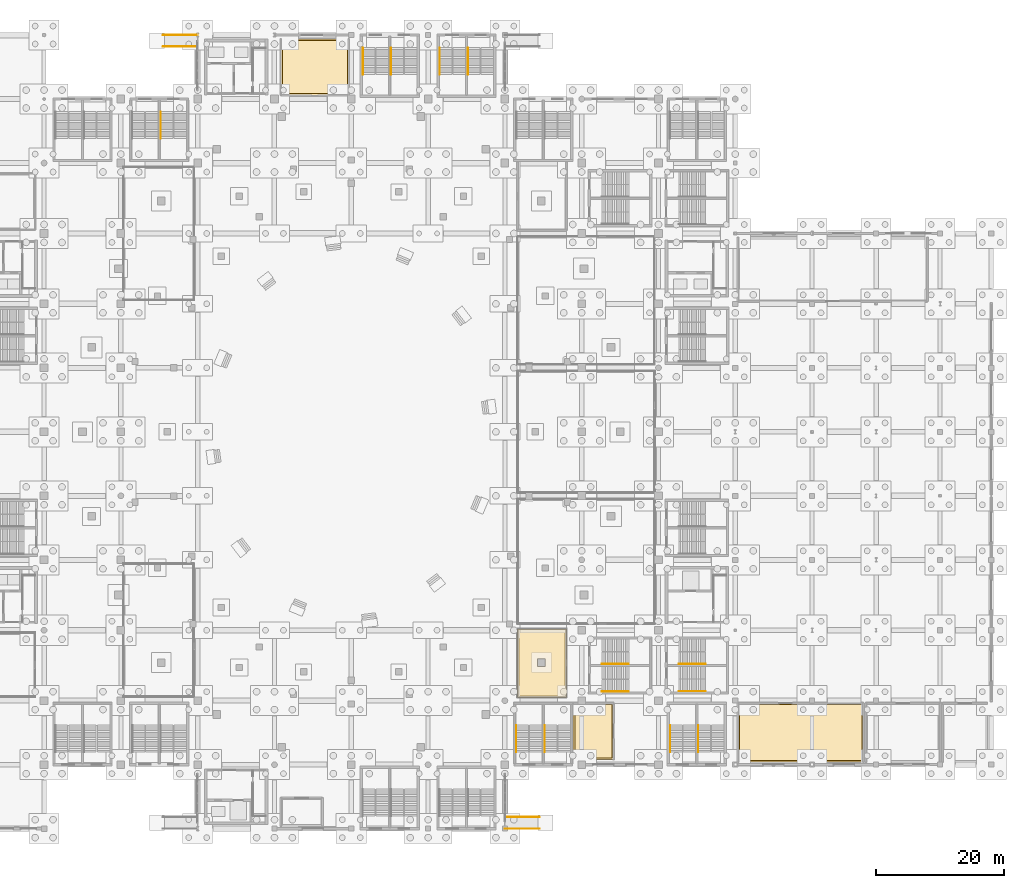
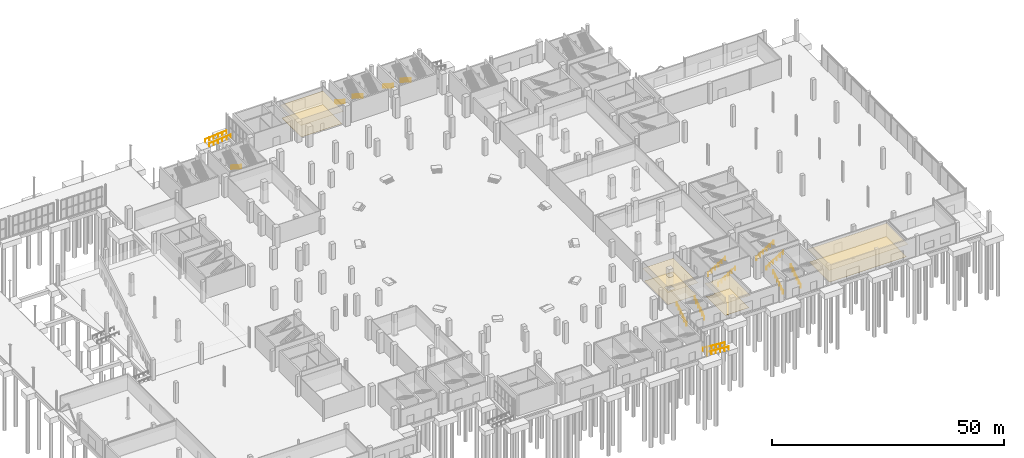
# One storey, part 66 of 70: 17 railings, 8 coverings.
"""IFC4 building model written with IfcOpenShell, lengths in metres."""

from ifc_helpers import new_model, si_unit, direction, frame, origin, origin_2d, place, context, subcontext, project, spatial, polyline, circle, outline, extrude, material, layer, layer_set, type_object, element, save


model = new_model("IFC4")

# Units and contexts
model_context = context("Model", 3, precision=1e-05, world=origin(), true_north=direction((0.0, 1.0)))
body_context = subcontext(model_context, "Body", "Model", "MODEL_VIEW")
ifc_project = project(units=[si_unit("LENGTHUNIT", "METRE"), si_unit("AREAUNIT", "SQUARE_METRE"), si_unit("VOLUMEUNIT", "CUBIC_METRE"), si_unit("PLANEANGLEUNIT", "RADIAN"), si_unit("MASSUNIT", "GRAM", prefix="KILO")], contexts=[model_context])

# Site, building, storey
site_placement = place(None, origin())
site = spatial("IfcSite", under=ifc_project, at=site_placement, CompositionType="ELEMENT")
building_placement = place(site_placement, origin())
building = spatial("IfcBuilding", under=site, at=building_placement, Name="Brinegate Civic Arena", CompositionType="ELEMENT")
storey_placement = place(building_placement, origin())
storey = spatial("IfcBuildingStorey", under=building, at=storey_placement, Name="L00", CompositionType="ELEMENT", Elevation=0.0)

# Coverings
ifc_material_1 = material(Name="Acoustic perforated aluminium ceiling", Category="aluminium")
ifc_layer_1 = layer(ifc_material_1, 0.02490234375, Name="Acoustic perforated aluminium ceiling")
ifc_layer_set_1 = layer_set([ifc_layer_1], Name="Acoustic perforated aluminium ceiling")
covering_type_1 = type_object("IfcCoveringType", Name="CEILING-ACOUSTIC-25", PredefinedType="CEILING", material=ifc_layer_set_1)
covering_1_placement = place(storey_placement, frame((0.0, 0.0, 3.324951171875)))
element("IfcCovering", 1, at=covering_1_placement, inside=storey, type_object=covering_type_1, Name="Acoustic Ceiling L00-004", PredefinedType="CEILING", context=body_context, shape_type="SweptSolid", body=[
    extrude(outline(polyline([(141.60400390625, 31.219970703125), (141.60595703125, 31.218994140625), (141.60791015625, 31.218017578125), (141.60888671875, 31.218017578125), (141.611083984375, 31.217041015625), (141.613037109375, 31.215087890625), (141.614013671875, 31.214111328125), (141.614990234375, 31.212890625), (141.616943359375, 31.2109375), (141.617919921875, 31.208984375), (141.617919921875, 31.2080078125), (141.618896484375, 31.2060546875), (141.6201171875, 31.2041015625), (141.6201171875, 31.201904296875), (141.6201171875, 31.199951171875), (141.6201171875, 20.5), (141.6201171875, 20.498046875), (141.6201171875, 20.49609375), (141.618896484375, 20.493896484375), (141.617919921875, 20.491943359375), (141.617919921875, 20.490966796875), (141.616943359375, 20.489013671875), (141.614990234375, 20.487060546875), (141.614013671875, 20.486083984375), (141.613037109375, 20.485107421875), (141.611083984375, 20.48291015625), (141.60888671875, 20.48193359375), (141.60791015625, 20.48193359375), (141.60595703125, 20.48095703125), (141.60400390625, 20.47998046875), (141.60205078125, 20.47998046875), (141.60009765625, 20.47998046875), (134.0, 20.47998046875), (133.998046875, 20.47998046875), (133.99609375, 20.47998046875), (133.993896484375, 20.48095703125), (133.991943359375, 20.48193359375), (133.990966796875, 20.48193359375), (133.989013671875, 20.48291015625), (133.987060546875, 20.485107421875), (133.986083984375, 20.486083984375), (133.985107421875, 20.487060546875), (133.98291015625, 20.489013671875), (133.98193359375, 20.490966796875), (133.98193359375, 20.491943359375), (133.98095703125, 20.493896484375), (133.97998046875, 20.49609375), (133.97998046875, 20.498046875), (133.97998046875, 20.5), (133.97998046875, 31.199951171875), (133.97998046875, 31.201904296875), (133.97998046875, 31.2041015625), (133.98095703125, 31.2060546875), (133.98193359375, 31.2080078125), (133.98193359375, 31.208984375), (133.98291015625, 31.2109375), (133.985107421875, 31.212890625), (133.986083984375, 31.214111328125), (133.987060546875, 31.215087890625), (133.989013671875, 31.217041015625), (133.990966796875, 31.218017578125), (133.991943359375, 31.218017578125), (133.993896484375, 31.218994140625), (133.99609375, 31.219970703125), (133.998046875, 31.219970703125), (134.0, 31.219970703125), (141.60009765625, 31.219970703125), (141.60205078125, 31.219970703125), (141.60400390625, 31.219970703125)]), holes=[polyline([(138.30810546875, 26.548095703125), (137.087890625, 26.548095703125), (137.087890625, 25.327880859375), (138.30810546875, 25.327880859375), (138.30810546875, 26.548095703125)])]), origin(), (0.0, 0.0, 1.0), 0.025146484375),
])
covering_2_placement = place(storey_placement, frame((0.0, 0.0, 3.324951171875)))
element("IfcCovering", 2, at=covering_2_placement, inside=storey, type_object=covering_type_1, Name="Acoustic Ceiling L00-009", PredefinedType="CEILING", context=body_context, shape_type="SweptSolid", body=[
    extrude(outline(polyline([(188.00390625, 19.6201171875), (188.006103515625, 19.618896484375), (188.008056640625, 19.617919921875), (188.009033203125, 19.617919921875), (188.010986328125, 19.616943359375), (188.012939453125, 19.614990234375), (188.013916015625, 19.614013671875), (188.014892578125, 19.613037109375), (188.01708984375, 19.611083984375), (188.01806640625, 19.60888671875), (188.01806640625, 19.60791015625), (188.01904296875, 19.60595703125), (188.02001953125, 19.60400390625), (188.02001953125, 19.60205078125), (188.02001953125, 19.60009765625), (188.02001953125, 10.39990234375), (188.02001953125, 10.39794921875), (188.02001953125, 10.39599609375), (188.01904296875, 10.39404296875), (188.01806640625, 10.39208984375), (188.01806640625, 10.39111328125), (188.01708984375, 10.388916015625), (188.014892578125, 10.386962890625), (188.013916015625, 10.385986328125), (188.012939453125, 10.385009765625), (188.010986328125, 10.383056640625), (188.009033203125, 10.382080078125), (188.008056640625, 10.382080078125), (188.006103515625, 10.381103515625), (188.00390625, 10.3798828125), (188.001953125, 10.3798828125), (188.0, 10.3798828125), (180.409912109375, 10.3798828125), (180.409912109375, 10.409912109375), (179.590087890625, 10.409912109375), (179.590087890625, 10.3798828125), (168.409912109375, 10.3798828125), (168.409912109375, 10.409912109375), (168.3798828125, 10.409912109375), (168.3798828125, 19.590087890625), (168.409912109375, 19.590087890625), (168.409912109375, 19.6201171875), (179.590087890625, 19.6201171875), (179.590087890625, 19.590087890625), (180.409912109375, 19.590087890625), (180.409912109375, 19.6201171875), (188.0, 19.6201171875), (188.001953125, 19.6201171875), (188.00390625, 19.6201171875)])), origin(), (0.0, 0.0, 1.0), 0.025146484375),
])
ifc_layer_2 = layer(ifc_material_1, 0.034912109375, Name="Acoustic perforated aluminium ceiling")
ifc_layer_set_2 = layer_set([ifc_layer_2], Name="Acoustic perforated aluminium ceiling")
covering_type_2 = type_object("IfcCoveringType", Name="CEILING-ACOUSTIC-35", PredefinedType="CEILING", material=ifc_layer_set_2)
covering_3_placement = place(storey_placement, frame((0.0, 0.0, 3.31494140625)))
element("IfcCovering", 3, at=covering_3_placement, inside=storey, type_object=covering_type_2, Name="Acoustic Ceiling L00-019", PredefinedType="CEILING", context=body_context, shape_type="SweptSolid", body=[
    extrude(outline(polyline([(107.60400390625, 123.419921875), (107.60595703125, 123.4189453125), (107.60791015625, 123.41796875), (107.60888671875, 123.41796875), (107.611083984375, 123.4169921875), (107.613037109375, 123.4150390625), (107.614013671875, 123.4140625), (107.614990234375, 123.4130859375), (107.616943359375, 123.410888671875), (107.617919921875, 123.408935546875), (107.617919921875, 123.407958984375), (107.618896484375, 123.406005859375), (107.6201171875, 123.404052734375), (107.6201171875, 123.402099609375), (107.6201171875, 123.39990234375), (107.6201171875, 114.610107421875), (107.389892578125, 114.610107421875), (107.389892578125, 114.580078125), (97.0, 114.580078125), (96.998046875, 114.580078125), (96.99609375, 114.580078125), (96.993896484375, 114.5810546875), (96.991943359375, 114.58203125), (96.990966796875, 114.58203125), (96.989013671875, 114.5830078125), (96.987060546875, 114.5849609375), (96.986083984375, 114.5859375), (96.985107421875, 114.5869140625), (96.98291015625, 114.589111328125), (96.98193359375, 114.591064453125), (96.98193359375, 114.592041015625), (96.98095703125, 114.593994140625), (96.97998046875, 114.595947265625), (96.97998046875, 114.597900390625), (96.97998046875, 114.60009765625), (96.97998046875, 123.39990234375), (96.97998046875, 123.402099609375), (96.97998046875, 123.404052734375), (96.98095703125, 123.406005859375), (96.98193359375, 123.407958984375), (96.98193359375, 123.408935546875), (96.98291015625, 123.410888671875), (96.985107421875, 123.4130859375), (96.986083984375, 123.4140625), (96.987060546875, 123.4150390625), (96.989013671875, 123.4169921875), (96.990966796875, 123.41796875), (96.991943359375, 123.41796875), (96.993896484375, 123.4189453125), (96.99609375, 123.419921875), (96.998046875, 123.419921875), (97.0, 123.419921875), (107.60009765625, 123.419921875), (107.60205078125, 123.419921875), (107.60400390625, 123.419921875)])), origin(), (0.0, 0.0, 1.0), 0.03515625),
])
ifc_layer_3 = layer(ifc_material_1, 0.01806640625, Name="Acoustic perforated aluminium ceiling")
ifc_layer_set_3 = layer_set([ifc_layer_3], Name="Acoustic perforated aluminium ceiling")
covering_type_3 = type_object("IfcCoveringType", Name="CEILING-MOISTURE-18", PredefinedType="CEILING", material=ifc_layer_set_3)
covering_4_placement = place(storey_placement, frame((0.0, 0.0, 3.33203125)))
element("IfcCovering", 4, at=covering_4_placement, inside=storey, type_object=covering_type_3, Name="Acoustic Ceiling L00-012", PredefinedType="CEILING", context=body_context, shape_type="SweptSolid", body=[
    extrude(outline(polyline([(149.00390625, 19.6201171875), (149.006103515625, 19.618896484375), (149.008056640625, 19.617919921875), (149.009033203125, 19.617919921875), (149.010986328125, 19.616943359375), (149.012939453125, 19.614990234375), (149.013916015625, 19.614013671875), (149.014892578125, 19.613037109375), (149.01708984375, 19.611083984375), (149.01806640625, 19.60888671875), (149.01806640625, 19.60791015625), (149.01904296875, 19.60595703125), (149.02001953125, 19.60400390625), (149.02001953125, 19.60205078125), (149.02001953125, 19.60009765625), (149.02001953125, 10.800048828125), (149.02001953125, 10.798095703125), (149.02001953125, 10.7958984375), (149.01904296875, 10.7939453125), (149.01806640625, 10.7919921875), (149.01806640625, 10.791015625), (149.01708984375, 10.7890625), (149.014892578125, 10.787109375), (149.013916015625, 10.785888671875), (149.012939453125, 10.784912109375), (149.010986328125, 10.782958984375), (149.009033203125, 10.781982421875), (149.008056640625, 10.781982421875), (149.006103515625, 10.781005859375), (149.00390625, 10.780029296875), (149.001953125, 10.780029296875), (149.0, 10.780029296875), (142.699951171875, 10.780029296875), (142.697998046875, 10.780029296875), (142.696044921875, 10.780029296875), (142.694091796875, 10.781005859375), (142.69189453125, 10.781982421875), (142.69091796875, 10.781982421875), (142.68896484375, 10.782958984375), (142.68701171875, 10.784912109375), (142.68603515625, 10.785888671875), (142.68505859375, 10.787109375), (142.68310546875, 10.7890625), (142.681884765625, 10.791015625), (142.681884765625, 10.7919921875), (142.680908203125, 10.7939453125), (142.679931640625, 10.7958984375), (142.679931640625, 10.798095703125), (142.679931640625, 10.800048828125), (142.679931640625, 19.60009765625), (142.679931640625, 19.60205078125), (142.679931640625, 19.60400390625), (142.680908203125, 19.60595703125), (142.681884765625, 19.60791015625), (142.681884765625, 19.60888671875), (142.68310546875, 19.611083984375), (142.68505859375, 19.613037109375), (142.68603515625, 19.614013671875), (142.68701171875, 19.614990234375), (142.68896484375, 19.616943359375), (142.69091796875, 19.617919921875), (142.69189453125, 19.617919921875), (142.694091796875, 19.618896484375), (142.696044921875, 19.6201171875), (142.697998046875, 19.6201171875), (142.699951171875, 19.6201171875), (143.389892578125, 19.6201171875), (143.389892578125, 19.389892578125), (144.610107421875, 19.389892578125), (144.610107421875, 19.6201171875), (149.0, 19.6201171875), (149.001953125, 19.6201171875), (149.00390625, 19.6201171875)])), origin(), (0.0, 0.0, 1.0), 0.01806640625),
])
ifc_material_2 = material(Name="Polished coral terrazzo flooring")
ifc_layer_4 = layer(ifc_material_2, 0.013916015625, Name="Polished coral terrazzo flooring")
ifc_layer_set_4 = layer_set([ifc_layer_4], Name="Polished coral terrazzo flooring")
covering_type_4 = type_object("IfcCoveringType", Name="FLOORING-ACOUSTIC-14", PredefinedType="FLOORING", material=ifc_layer_set_4)
covering_5_placement = place(storey_placement, origin())
element("IfcCovering", 5, at=covering_5_placement, inside=storey, type_object=covering_type_4, Name="Flooring L00-012", PredefinedType="FLOORING", context=body_context, shape_type="SweptSolid", body=[
    extrude(outline(polyline([(142.929931640625, 19.3701171875), (143.14111328125, 19.3701171875), (143.14111328125, 19.364990234375), (143.14501953125, 19.341064453125), (143.15087890625, 19.31689453125), (143.158935546875, 19.2939453125), (143.169921875, 19.27197265625), (143.181884765625, 19.2509765625), (143.197021484375, 19.23095703125), (143.212890625, 19.212890625), (143.23095703125, 19.197021484375), (143.2509765625, 19.181884765625), (143.27197265625, 19.169921875), (143.2939453125, 19.158935546875), (143.31689453125, 19.15087890625), (143.341064453125, 19.14501953125), (143.364990234375, 19.14111328125), (143.389892578125, 19.139892578125), (144.610107421875, 19.139892578125), (144.635009765625, 19.14111328125), (144.658935546875, 19.14501953125), (144.68310546875, 19.15087890625), (144.7060546875, 19.158935546875), (144.72802734375, 19.169921875), (144.7490234375, 19.181884765625), (144.76904296875, 19.197021484375), (144.787109375, 19.212890625), (144.802978515625, 19.23095703125), (144.818115234375, 19.2509765625), (144.830078125, 19.27197265625), (144.841064453125, 19.2939453125), (144.84912109375, 19.31689453125), (144.85498046875, 19.341064453125), (144.85888671875, 19.364990234375), (144.85888671875, 19.3701171875), (148.77001953125, 19.3701171875), (148.77001953125, 11.030029296875), (142.929931640625, 11.030029296875), (142.929931640625, 19.3701171875)])), origin(), (0.0, 0.0, 1.0), 0.013916015625),
])
ifc_material_3 = material(Name="Slip-resistant porcelain tile flooring")
ifc_layer_5 = layer(ifc_material_3, 0.02001953125, Name="Slip-resistant porcelain tile flooring")
ifc_layer_set_5 = layer_set([ifc_layer_5], Name="Slip-resistant porcelain tile flooring")
covering_type_5 = type_object("IfcCoveringType", Name="FLOORING-PORCELAIN-20", PredefinedType="FLOORING", material=ifc_layer_set_5)
covering_6_placement = place(storey_placement, origin())
element("IfcCovering", 6, at=covering_6_placement, inside=storey, type_object=covering_type_5, Name="Flooring L00-019", PredefinedType="FLOORING", context=body_context, shape_type="SweptSolid", body=[
    extrude(outline(polyline([(97.22998046875, 114.830078125), (97.22998046875, 123.169921875), (107.3701171875, 123.169921875), (107.3701171875, 114.85888671875), (107.364990234375, 114.85888671875), (107.341064453125, 114.85498046875), (107.31689453125, 114.84912109375), (107.2939453125, 114.841064453125), (107.27197265625, 114.830078125), (107.27099609375, 114.830078125), (97.22998046875, 114.830078125)])), origin(), (0.0, 0.0, 1.0), 0.02001953125),
])
ifc_layer_6 = layer(ifc_material_2, 0.028076171875, Name="Polished coral terrazzo flooring")
ifc_layer_set_6 = layer_set([ifc_layer_6], Name="Polished coral terrazzo flooring")
covering_type_6 = type_object("IfcCoveringType", Name="FLOORING-TERRAZZO-28", PredefinedType="FLOORING", material=ifc_layer_set_6)
covering_7_placement = place(storey_placement, origin())
element("IfcCovering", 7, at=covering_7_placement, inside=storey, type_object=covering_type_6, Name="Flooring L00-004", PredefinedType="FLOORING", context=body_context, shape_type="SweptSolid", body=[
    extrude(outline(polyline([(134.22998046875, 30.969970703125), (141.3701171875, 30.969970703125), (141.3701171875, 20.72998046875), (134.22998046875, 20.72998046875), (134.22998046875, 30.969970703125)]), holes=[polyline([(138.55810546875, 26.548095703125), (138.556884765625, 26.572998046875), (138.552978515625, 26.596923828125), (138.547119140625, 26.62109375), (138.5390625, 26.64404296875), (138.528076171875, 26.666015625), (138.51611328125, 26.68701171875), (138.5009765625, 26.70703125), (138.485107421875, 26.72509765625), (138.467041015625, 26.740966796875), (138.447021484375, 26.756103515625), (138.426025390625, 26.76806640625), (138.404052734375, 26.779052734375), (138.381103515625, 26.787109375), (138.35693359375, 26.79296875), (138.3330078125, 26.797119140625), (138.30810546875, 26.798095703125), (137.087890625, 26.798095703125), (137.06298828125, 26.797119140625), (137.0390625, 26.79296875), (137.014892578125, 26.787109375), (136.991943359375, 26.779052734375), (136.969970703125, 26.76806640625), (136.948974609375, 26.756103515625), (136.928955078125, 26.740966796875), (136.910888671875, 26.72509765625), (136.89501953125, 26.70703125), (136.8798828125, 26.68701171875), (136.867919921875, 26.666015625), (136.85693359375, 26.64404296875), (136.84912109375, 26.62109375), (136.843017578125, 26.596923828125), (136.839111328125, 26.572998046875), (136.837890625, 26.548095703125), (136.837890625, 25.327880859375), (136.839111328125, 25.302978515625), (136.843017578125, 25.279052734375), (136.84912109375, 25.2548828125), (136.85693359375, 25.23193359375), (136.867919921875, 25.2099609375), (136.8798828125, 25.18896484375), (136.89501953125, 25.1689453125), (136.910888671875, 25.15087890625), (136.928955078125, 25.135009765625), (136.948974609375, 25.1201171875), (136.969970703125, 25.10791015625), (136.991943359375, 25.096923828125), (137.014892578125, 25.089111328125), (137.0390625, 25.0830078125), (137.06298828125, 25.0791015625), (137.087890625, 25.077880859375), (138.30810546875, 25.077880859375), (138.3330078125, 25.0791015625), (138.35693359375, 25.0830078125), (138.381103515625, 25.089111328125), (138.404052734375, 25.096923828125), (138.426025390625, 25.10791015625), (138.447021484375, 25.1201171875), (138.467041015625, 25.135009765625), (138.485107421875, 25.15087890625), (138.5009765625, 25.1689453125), (138.51611328125, 25.18896484375), (138.528076171875, 25.2099609375), (138.5390625, 25.23193359375), (138.547119140625, 25.2548828125), (138.552978515625, 25.279052734375), (138.556884765625, 25.302978515625), (138.55810546875, 25.327880859375), (138.55810546875, 26.548095703125)])]), origin(), (0.0, 0.0, 1.0), 0.028076171875),
])
covering_8_placement = place(storey_placement, origin())
element("IfcCovering", 8, at=covering_8_placement, inside=storey, type_object=covering_type_6, Name="Flooring L00-009", PredefinedType="FLOORING", context=body_context, shape_type="SweptSolid", body=[
    extrude(outline(polyline([(168.6298828125, 10.6298828125), (168.6298828125, 19.3701171875), (179.470947265625, 19.3701171875), (179.471923828125, 19.3701171875), (179.493896484375, 19.35888671875), (179.51708984375, 19.35107421875), (179.541015625, 19.344970703125), (179.56494140625, 19.341064453125), (179.590087890625, 19.340087890625), (180.409912109375, 19.340087890625), (180.43505859375, 19.341064453125), (180.458984375, 19.344970703125), (180.48291015625, 19.35107421875), (180.506103515625, 19.35888671875), (180.528076171875, 19.3701171875), (180.529052734375, 19.3701171875), (187.77001953125, 19.3701171875), (187.77001953125, 10.6298828125), (180.529052734375, 10.6298828125), (180.528076171875, 10.6298828125), (180.506103515625, 10.64111328125), (180.48291015625, 10.64892578125), (180.458984375, 10.655029296875), (180.43505859375, 10.658935546875), (180.409912109375, 10.659912109375), (179.590087890625, 10.659912109375), (179.56494140625, 10.658935546875), (179.541015625, 10.655029296875), (179.51708984375, 10.64892578125), (179.493896484375, 10.64111328125), (179.471923828125, 10.6298828125), (179.470947265625, 10.6298828125), (168.6298828125, 10.6298828125)])), origin(), (0.0, 0.0, 1.0), 0.028076171875),
])

# Railings
ifc_material_4 = material(Name="Architectural stainless steel balustrade", Category="steel")
railing_type_1 = type_object("IfcRailingType", Name="RAIL-EXT-HANDRAIL-920", PredefinedType="HANDRAIL", material=ifc_material_4)
for number, where, name in (
    (9, (137.39990234375, 1.800048828125, -0.449951171875), "Accessible Ramp Handrail RP-04-A"),
    (10, (137.39990234375, 0.0, -0.449951171875), "Accessible Ramp Handrail RP-04-B"),
):
    element("IfcRailing", number, at=place(storey_placement, frame(where)), inside=storey, type_object=railing_type_1, Name=name, PredefinedType="HANDRAIL", context=body_context, shape_type="SweptSolid", body=[
        extrude(circle(Radius=0.02392578125, at=origin_2d()), frame((-0.00146484375, 0.0, 0.89599609375), z_axis=(-0.996546379678, 0.0, 0.083038022323), x_axis=(0.0, -1.0, 0.0)), (0.0, 0.0, 1.0), 5.41552734375),
        extrude(circle(Radius=0.02099609375, at=origin_2d()), origin(), (0.0, 0.0, 1.0), 0.869873046875),
        extrude(circle(Radius=0.02099609375, at=origin_2d()), frame((-1.080078125, 0.0, 0.090087890625)), (0.0, 0.0, 1.0), 0.869873046875),
        extrude(circle(Radius=0.02099609375, at=origin_2d()), frame((-2.159912109375, 0.0, 0.179931640625)), (0.0, 0.0, 1.0), 0.869873046875),
        extrude(circle(Radius=0.02099609375, at=origin_2d()), frame((-3.239990234375, 0.0, 0.27001953125)), (0.0, 0.0, 1.0), 0.869873046875),
        extrude(circle(Radius=0.02099609375, at=origin_2d()), frame((-4.31982421875, 0.0, 0.35986328125)), (0.0, 0.0, 1.0), 0.869873046875),
        extrude(circle(Radius=0.02099609375, at=origin_2d()), frame((-5.39990234375, 0.0, 0.449951171875)), (0.0, 0.0, 1.0), 0.869873046875),
    ])
for number, where, name in (
    (11, (78.60009765625, 122.199951171875, -0.449951171875), "Accessible Ramp Handrail RP-05-A"),
    (12, (78.60009765625, 124.0, -0.449951171875), "Accessible Ramp Handrail RP-05-B"),
):
    element("IfcRailing", number, at=place(storey_placement, frame(where)), inside=storey, type_object=railing_type_1, Name=name, PredefinedType="HANDRAIL", context=body_context, shape_type="SweptSolid", body=[
        extrude(circle(Radius=0.02392578125, at=origin_2d()), frame((0.00146484375, 0.0, 0.89599609375), z_axis=(0.996546379678, 0.0, 0.083038022323), x_axis=(0.0, 1.0, 0.0)), (0.0, 0.0, 1.0), 5.41552734375),
        extrude(circle(Radius=0.02099609375, at=origin_2d()), origin(), (0.0, 0.0, 1.0), 0.869873046875),
        extrude(circle(Radius=0.02099609375, at=origin_2d()), frame((1.080078125, 0.0, 0.090087890625)), (0.0, 0.0, 1.0), 0.869873046875),
        extrude(circle(Radius=0.02099609375, at=origin_2d()), frame((2.159912109375, 0.0, 0.179931640625)), (0.0, 0.0, 1.0), 0.869873046875),
        extrude(circle(Radius=0.02099609375, at=origin_2d()), frame((3.239990234375, 0.0, 0.27001953125)), (0.0, 0.0, 1.0), 0.869873046875),
        extrude(circle(Radius=0.02099609375, at=origin_2d()), frame((4.31982421875, 0.0, 0.35986328125)), (0.0, 0.0, 1.0), 0.869873046875),
        extrude(circle(Radius=0.02099609375, at=origin_2d()), frame((5.39990234375, 0.0, 0.449951171875)), (0.0, 0.0, 1.0), 0.869873046875),
    ])
railing_type_2 = type_object("IfcRailingType", Name="RAIL-STAIR-HANDRAIL-900", PredefinedType="HANDRAIL", material=ifc_material_4)
for number, where, name in (
    (13, (121.824951171875, 117.830078125, 2.699951171875), "Stair Pitch Handrail ST-03A L00"),
    (14, (126.22509765625, 117.830078125, 2.699951171875), "Stair Pitch Handrail ST-03B L00"),
):
    element("IfcRailing", number, at=place(storey_placement, frame(where)), inside=storey, type_object=railing_type_2, Name=name, PredefinedType="HANDRAIL", context=body_context, shape_type="SweptSolid", body=[
        extrude(circle(Radius=0.02392578125, at=origin_2d()), frame((0.0, 0.001220703125, 0.875), z_axis=(0.0, 0.841180064094, -0.540755119968), x_axis=(-1.0, 0.0, 0.0)), (0.0, 0.0, 1.0), 4.989990234375),
        extrude(circle(Radius=0.02099609375, at=origin_2d()), origin(), (0.0, 0.0, 1.0), 0.849853515625),
        extrude(circle(Radius=0.02099609375, at=origin_2d()), frame((0.0, 0.840087890625, -0.5400390625)), (0.0, 0.0, 1.0), 0.849853515625),
        extrude(circle(Radius=0.02099609375, at=origin_2d()), frame((0.0, 1.679931640625, -1.080078125)), (0.0, 0.0, 1.0), 0.849853515625),
        extrude(circle(Radius=0.02099609375, at=origin_2d()), frame((0.0, 2.52001953125, -1.619873046875)), (0.0, 0.0, 1.0), 0.849853515625),
        extrude(circle(Radius=0.02099609375, at=origin_2d()), frame((0.0, 3.35986328125, -2.159912109375)), (0.0, 0.0, 1.0), 0.849853515625),
        extrude(circle(Radius=0.02099609375, at=origin_2d()), frame((0.0, 4.199951171875, -2.699951171875)), (0.0, 0.0, 1.0), 0.849853515625),
    ])
for number, where, name in (
    (15, (157.824951171875, 11.969970703125, 0.0), "Stair Pitch Handrail ST-06A L00"),
    (16, (162.22509765625, 11.969970703125, 0.0), "Stair Pitch Handrail ST-06B L00"),
):
    element("IfcRailing", number, at=place(storey_placement, frame(where)), inside=storey, type_object=railing_type_2, Name=name, PredefinedType="HANDRAIL", context=body_context, shape_type="SweptSolid", body=[
        extrude(circle(Radius=0.02392578125, at=origin_2d()), frame((0.0, 0.001220703125, 0.876708984375), z_axis=(0.0, 0.841180064094, 0.540755119968), x_axis=(-1.0, 0.0, 0.0)), (0.0, 0.0, 1.0), 4.989990234375),
        extrude(circle(Radius=0.02099609375, at=origin_2d()), origin(), (0.0, 0.0, 1.0), 0.849853515625),
        extrude(circle(Radius=0.02099609375, at=origin_2d()), frame((0.0, 0.840087890625, 0.5400390625)), (0.0, 0.0, 1.0), 0.849853515625),
        extrude(circle(Radius=0.02099609375, at=origin_2d()), frame((0.0, 1.679931640625, 1.080078125)), (0.0, 0.0, 1.0), 0.849853515625),
        extrude(circle(Radius=0.02099609375, at=origin_2d()), frame((0.0, 2.52001953125, 1.619873046875)), (0.0, 0.0, 1.0), 0.849853515625),
        extrude(circle(Radius=0.02099609375, at=origin_2d()), frame((0.0, 3.35986328125, 2.159912109375)), (0.0, 0.0, 1.0), 0.849853515625),
        extrude(circle(Radius=0.02099609375, at=origin_2d()), frame((0.0, 4.199951171875, 2.699951171875)), (0.0, 0.0, 1.0), 0.849853515625),
    ])
railing_placement = place(storey_placement, frame((78.22509765625, 107.830078125, 2.699951171875)))
element("IfcRailing", 17, at=railing_placement, inside=storey, type_object=railing_type_2, Name="Stair Pitch Handrail ST-11B L00", PredefinedType="HANDRAIL", context=body_context, shape_type="SweptSolid", body=[
    extrude(circle(Radius=0.02392578125, at=origin_2d()), frame((0.0, 0.001220703125, 0.875), z_axis=(0.0, 0.841180064094, -0.540755119968), x_axis=(-1.0, 0.0, 0.0)), (0.0, 0.0, 1.0), 4.989990234375),
    extrude(circle(Radius=0.02099609375, at=origin_2d()), origin(), (0.0, 0.0, 1.0), 0.849853515625),
    extrude(circle(Radius=0.02099609375, at=origin_2d()), frame((0.0, 0.840087890625, -0.5400390625)), (0.0, 0.0, 1.0), 0.849853515625),
    extrude(circle(Radius=0.02099609375, at=origin_2d()), frame((0.0, 1.679931640625, -1.080078125)), (0.0, 0.0, 1.0), 0.849853515625),
    extrude(circle(Radius=0.02099609375, at=origin_2d()), frame((0.0, 2.52001953125, -1.619873046875)), (0.0, 0.0, 1.0), 0.849853515625),
    extrude(circle(Radius=0.02099609375, at=origin_2d()), frame((0.0, 3.35986328125, -2.159912109375)), (0.0, 0.0, 1.0), 0.849853515625),
    extrude(circle(Radius=0.02099609375, at=origin_2d()), frame((0.0, 4.199951171875, -2.699951171875)), (0.0, 0.0, 1.0), 0.849853515625),
])
for number, where, name in (
    (18, (133.77490234375, 11.969970703125, 0.0), "Stair Pitch Handrail ST-14A L00"),
    (19, (138.22509765625, 11.969970703125, 0.0), "Stair Pitch Handrail ST-14B L00"),
):
    element("IfcRailing", number, at=place(storey_placement, frame(where)), inside=storey, type_object=railing_type_2, Name=name, PredefinedType="HANDRAIL", context=body_context, shape_type="SweptSolid", body=[
        extrude(circle(Radius=0.02392578125, at=origin_2d()), frame((0.0, 0.001220703125, 0.876708984375), z_axis=(0.0, 0.841180064094, 0.540755119968), x_axis=(-1.0, 0.0, 0.0)), (0.0, 0.0, 1.0), 4.989990234375),
        extrude(circle(Radius=0.02099609375, at=origin_2d()), origin(), (0.0, 0.0, 1.0), 0.849853515625),
        extrude(circle(Radius=0.02099609375, at=origin_2d()), frame((0.0, 0.840087890625, 0.5400390625)), (0.0, 0.0, 1.0), 0.849853515625),
        extrude(circle(Radius=0.02099609375, at=origin_2d()), frame((0.0, 1.679931640625, 1.080078125)), (0.0, 0.0, 1.0), 0.849853515625),
        extrude(circle(Radius=0.02099609375, at=origin_2d()), frame((0.0, 2.52001953125, 1.619873046875)), (0.0, 0.0, 1.0), 0.849853515625),
        extrude(circle(Radius=0.02099609375, at=origin_2d()), frame((0.0, 3.35986328125, 2.159912109375)), (0.0, 0.0, 1.0), 0.849853515625),
        extrude(circle(Radius=0.02099609375, at=origin_2d()), frame((0.0, 4.199951171875, 2.699951171875)), (0.0, 0.0, 1.0), 0.849853515625),
    ])
for number, where, name in (
    (20, (109.824951171875, 117.830078125, 2.699951171875), "Stair Pitch Handrail ST-15A L00"),
    (21, (114.22509765625, 117.830078125, 2.699951171875), "Stair Pitch Handrail ST-15B L00"),
):
    element("IfcRailing", number, at=place(storey_placement, frame(where)), inside=storey, type_object=railing_type_2, Name=name, PredefinedType="HANDRAIL", context=body_context, shape_type="SweptSolid", body=[
        extrude(circle(Radius=0.02392578125, at=origin_2d()), frame((0.0, 0.001220703125, 0.875), z_axis=(0.0, 0.841180064094, -0.540755119968), x_axis=(-1.0, 0.0, 0.0)), (0.0, 0.0, 1.0), 4.989990234375),
        extrude(circle(Radius=0.02099609375, at=origin_2d()), origin(), (0.0, 0.0, 1.0), 0.849853515625),
        extrude(circle(Radius=0.02099609375, at=origin_2d()), frame((0.0, 0.840087890625, -0.5400390625)), (0.0, 0.0, 1.0), 0.849853515625),
        extrude(circle(Radius=0.02099609375, at=origin_2d()), frame((0.0, 1.679931640625, -1.080078125)), (0.0, 0.0, 1.0), 0.849853515625),
        extrude(circle(Radius=0.02099609375, at=origin_2d()), frame((0.0, 2.52001953125, -1.619873046875)), (0.0, 0.0, 1.0), 0.849853515625),
        extrude(circle(Radius=0.02099609375, at=origin_2d()), frame((0.0, 3.35986328125, -2.159912109375)), (0.0, 0.0, 1.0), 0.849853515625),
        extrude(circle(Radius=0.02099609375, at=origin_2d()), frame((0.0, 4.199951171875, -2.699951171875)), (0.0, 0.0, 1.0), 0.849853515625),
    ])
for number, where, name in (
    (22, (147.169921875, 21.425048828125, 0.0), "Stair Pitch Handrail ST-17A L00"),
    (23, (147.169921875, 25.72509765625, 0.0), "Stair Pitch Handrail ST-17B L00"),
    (24, (159.169921875, 21.455078125, 0.0), "Stair Pitch Handrail ST-19A L00"),
    (25, (159.169921875, 25.72509765625, 0.0), "Stair Pitch Handrail ST-19B L00"),
):
    element("IfcRailing", number, at=place(storey_placement, frame(where)), inside=storey, type_object=railing_type_2, Name=name, PredefinedType="HANDRAIL", context=body_context, shape_type="SweptSolid", body=[
        extrude(circle(Radius=0.02392578125, at=origin_2d()), frame((0.001220703125, 0.0, 0.876708984375), z_axis=(0.841194361566, 0.0, 0.540732878665), x_axis=(0.0, 1.0, 0.0)), (0.0, 0.0, 1.0), 4.990234375),
        extrude(circle(Radius=0.02099609375, at=origin_2d()), origin(), (0.0, 0.0, 1.0), 0.849853515625),
        extrude(circle(Radius=0.02099609375, at=origin_2d()), frame((0.840087890625, 0.0, 0.5400390625)), (0.0, 0.0, 1.0), 0.849853515625),
        extrude(circle(Radius=0.02099609375, at=origin_2d()), frame((1.68017578125, 0.0, 1.080078125)), (0.0, 0.0, 1.0), 0.849853515625),
        extrude(circle(Radius=0.02099609375, at=origin_2d()), frame((2.52001953125, 0.0, 1.619873046875)), (0.0, 0.0, 1.0), 0.849853515625),
        extrude(circle(Radius=0.02099609375, at=origin_2d()), frame((3.360107421875, 0.0, 2.159912109375)), (0.0, 0.0, 1.0), 0.849853515625),
        extrude(circle(Radius=0.02099609375, at=origin_2d()), frame((4.2001953125, 0.0, 2.699951171875)), (0.0, 0.0, 1.0), 0.849853515625),
    ])

save(model, "model.ifc")
